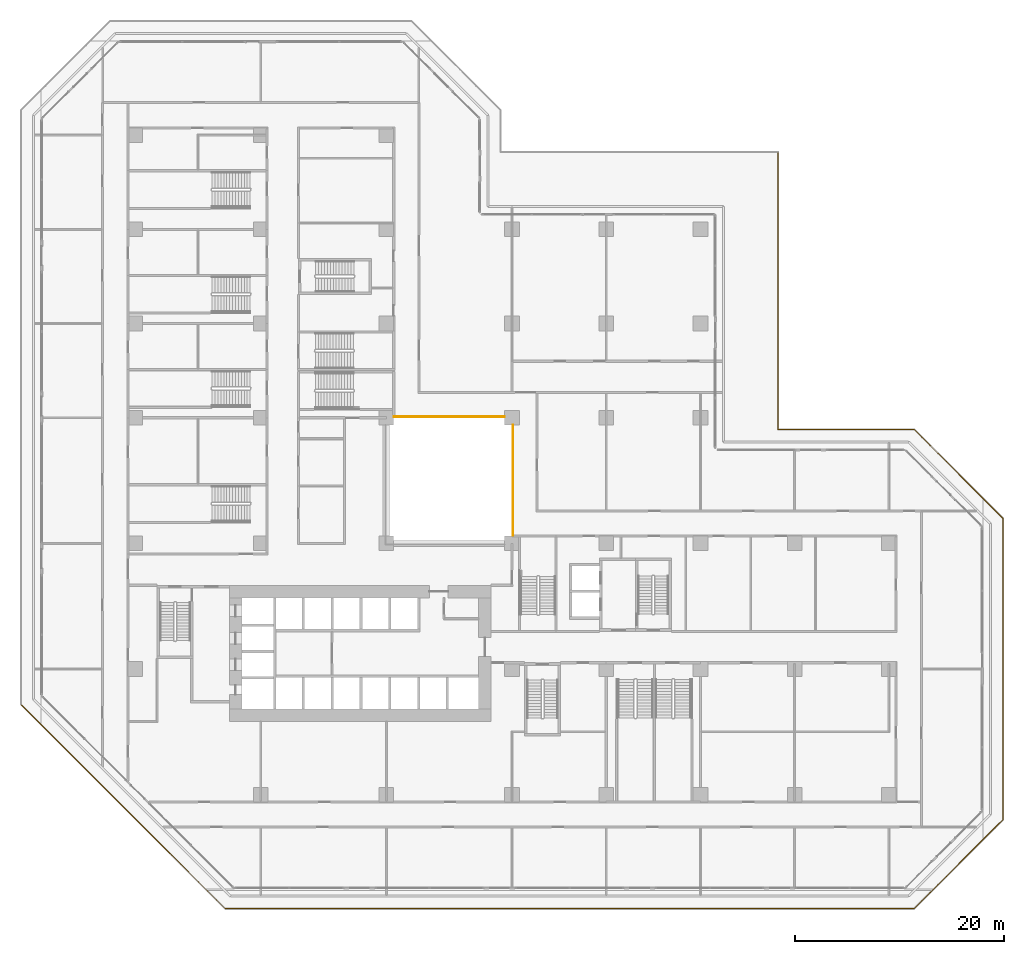
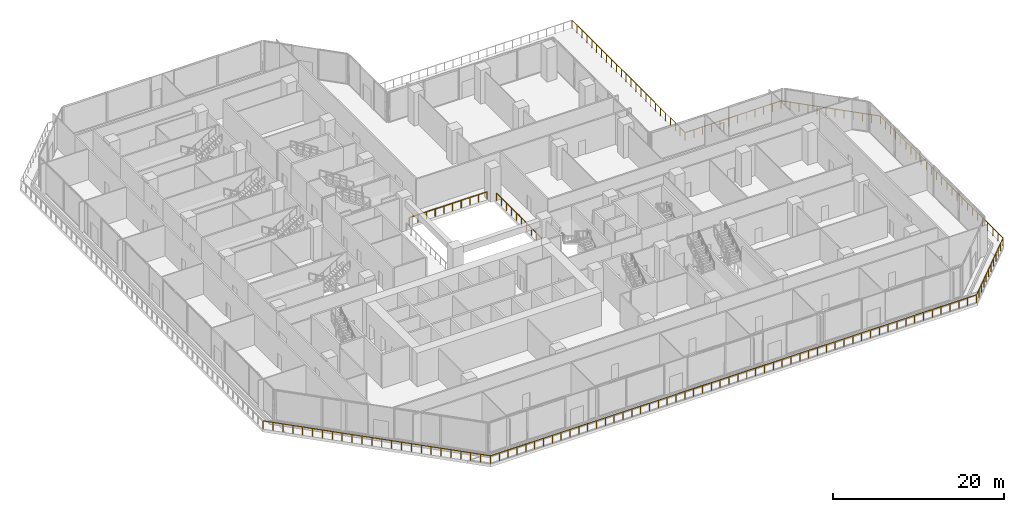
# One storey, part 25 of 26: 3 railings.
"""IFC4 building model written with IfcOpenShell, lengths in metres."""

from ifc_helpers import new_model, si_unit, direction, frame, origin, origin_2d, place, context, subcontext, project, spatial, rectangle, extrude, material, type_object, element, save


model = new_model("IFC4")

# Units and contexts
model_context = context("Model", 3, precision=1e-05, world=origin(), true_north=direction((0.0, 1.0)))
body_context = subcontext(model_context, "Body", "Model", "MODEL_VIEW")
ifc_project = project(units=[si_unit("LENGTHUNIT", "METRE"), si_unit("AREAUNIT", "SQUARE_METRE"), si_unit("VOLUMEUNIT", "CUBIC_METRE"), si_unit("PLANEANGLEUNIT", "RADIAN"), si_unit("MASSUNIT", "GRAM", prefix="KILO")], contexts=[model_context])

# Site, building, storey
site_placement = place(None, origin())
site = spatial("IfcSite", under=ifc_project, at=site_placement, CompositionType="ELEMENT")
building_placement = place(site_placement, origin())
building = spatial("IfcBuilding", under=site, at=building_placement, Name="Chenar Terraces", CompositionType="ELEMENT")
storey_placement = place(building_placement, frame((0.0, 0.0, 16.800048828125)))
storey = spatial("IfcBuildingStorey", under=building, at=storey_placement, Name="L03", CompositionType="ELEMENT", Elevation=16.800048828125)

# Railings
ifc_material_1 = material(Name="Powder-coated steel", Category="steel")
railing_type_1 = type_object("IfcRailingType", Name="Guard 1100 steel rail with glass infill", PredefinedType="GUARDRAIL", material=ifc_material_1)
railing_1_placement = place(storey_placement, frame((24.75, 36.10009765625, 0.0)))
element("IfcRailing", 1, at=railing_1_placement, inside=storey, type_object=railing_type_1, Name="Guard L03-2", PredefinedType="GUARDRAIL", context=body_context, shape_type="SweptSolid", body=[
    extrude(rectangle(XDim=0.06005859375, YDim=0.06005859375, at=origin_2d()), frame((0.0, 0.0, 1.070068359375), z_axis=(1.0, 0.0, 0.0), x_axis=(0.0, 1.0, 0.0)), (0.0, 0.0, 1.0), 10.550048828125),
    extrude(rectangle(XDim=0.050048828125, YDim=0.050048828125, at=origin_2d()), origin(), (0.0, 0.0, 1.0), 1.0400390625),
    extrude(rectangle(XDim=0.050048828125, YDim=0.050048828125, at=origin_2d()), frame((1.172119140625, 0.0, 0.0)), (0.0, 0.0, 1.0), 1.0400390625),
    extrude(rectangle(XDim=0.050048828125, YDim=0.050048828125, at=origin_2d()), frame((2.344482421875, 0.0, 0.0)), (0.0, 0.0, 1.0), 1.0400390625),
    extrude(rectangle(XDim=0.050048828125, YDim=0.050048828125, at=origin_2d()), frame((3.5166015625, 0.0, 0.0)), (0.0, 0.0, 1.0), 1.0400390625),
    extrude(rectangle(XDim=0.050048828125, YDim=0.050048828125, at=origin_2d()), frame((4.68896484375, 0.0, 0.0)), (0.0, 0.0, 1.0), 1.0400390625),
    extrude(rectangle(XDim=0.050048828125, YDim=0.050048828125, at=origin_2d()), frame((5.861083984375, 0.0, 0.0)), (0.0, 0.0, 1.0), 1.0400390625),
    extrude(rectangle(XDim=0.050048828125, YDim=0.050048828125, at=origin_2d()), frame((7.033447265625, 0.0, 0.0)), (0.0, 0.0, 1.0), 1.0400390625),
    extrude(rectangle(XDim=0.050048828125, YDim=0.050048828125, at=origin_2d()), frame((8.20556640625, 0.0, 0.0)), (0.0, 0.0, 1.0), 1.0400390625),
    extrude(rectangle(XDim=0.050048828125, YDim=0.050048828125, at=origin_2d()), frame((9.3779296875, 0.0, 0.0)), (0.0, 0.0, 1.0), 1.0400390625),
    extrude(rectangle(XDim=0.050048828125, YDim=0.050048828125, at=origin_2d()), frame((10.550048828125, 0.0, 0.0)), (0.0, 0.0, 1.0), 1.0400390625),
])
railing_2_placement = place(storey_placement, frame((36.10009765625, 24.75, 0.0)))
element("IfcRailing", 2, at=railing_2_placement, inside=storey, type_object=railing_type_1, Name="Guard L03-3", PredefinedType="GUARDRAIL", context=body_context, shape_type="SweptSolid", body=[
    extrude(rectangle(XDim=0.06005859375, YDim=0.06005859375, at=origin_2d()), frame((0.0, 0.0, 1.070068359375), z_axis=(0.0, 1.0, 0.0), x_axis=(-1.0, 0.0, 0.0)), (0.0, 0.0, 1.0), 10.550048828125),
    extrude(rectangle(XDim=0.050048828125, YDim=0.050048828125, at=origin_2d()), origin(), (0.0, 0.0, 1.0), 1.0400390625),
    extrude(rectangle(XDim=0.050048828125, YDim=0.050048828125, at=origin_2d()), frame((0.0, 1.172119140625, 0.0)), (0.0, 0.0, 1.0), 1.0400390625),
    extrude(rectangle(XDim=0.050048828125, YDim=0.050048828125, at=origin_2d()), frame((0.0, 2.344482421875, 0.0)), (0.0, 0.0, 1.0), 1.0400390625),
    extrude(rectangle(XDim=0.050048828125, YDim=0.050048828125, at=origin_2d()), frame((0.0, 3.5166015625, 0.0)), (0.0, 0.0, 1.0), 1.0400390625),
    extrude(rectangle(XDim=0.050048828125, YDim=0.050048828125, at=origin_2d()), frame((0.0, 4.68896484375, 0.0)), (0.0, 0.0, 1.0), 1.0400390625),
    extrude(rectangle(XDim=0.050048828125, YDim=0.050048828125, at=origin_2d()), frame((0.0, 5.861083984375, 0.0)), (0.0, 0.0, 1.0), 1.0400390625),
    extrude(rectangle(XDim=0.050048828125, YDim=0.050048828125, at=origin_2d()), frame((0.0, 7.033447265625, 0.0)), (0.0, 0.0, 1.0), 1.0400390625),
    extrude(rectangle(XDim=0.050048828125, YDim=0.050048828125, at=origin_2d()), frame((0.0, 8.20556640625, 0.0)), (0.0, 0.0, 1.0), 1.0400390625),
    extrude(rectangle(XDim=0.050048828125, YDim=0.050048828125, at=origin_2d()), frame((0.0, 9.3779296875, 0.0)), (0.0, 0.0, 1.0), 1.0400390625),
    extrude(rectangle(XDim=0.050048828125, YDim=0.050048828125, at=origin_2d()), frame((0.0, 10.550048828125, 0.0)), (0.0, 0.0, 1.0), 1.0400390625),
])
ifc_material_2 = material(Name="Stainless steel and glass", Category="steel")
railing_type_2 = type_object("IfcRailingType", Name="Terrace guard 1150", PredefinedType="GUARDRAIL", material=ifc_material_2)
railing_3_placement = place(storey_placement, frame((61.39990234375, 61.39990234375, 0.0)))
element("IfcRailing", 3, at=railing_3_placement, inside=storey, type_object=railing_type_2, Name="Terrace guard", PredefinedType="GUARDRAIL", context=body_context, shape_type="SweptSolid", body=[
    extrude(rectangle(XDim=0.048095703125, YDim=0.048095703125, at=origin_2d()), frame((0.0, 0.0, 1.1259765625), z_axis=(0.0, -1.0, 0.0), x_axis=(1.0, 0.0, 0.0)), (0.0, 0.0, 1.0), 26.5),
    extrude(rectangle(XDim=0.048095703125, YDim=0.048095703125, at=origin_2d()), frame((0.0, -26.5, 1.1259765625), z_axis=(1.0, 0.0, 0.0), x_axis=(0.0, 1.0, 0.0)), (0.0, 0.0, 1.0), 12.99365234375),
    extrude(rectangle(XDim=0.048095703125, YDim=0.048095703125, at=origin_2d()), frame((12.99365234375, -26.5, 1.1259765625), z_axis=(0.707106781187, -0.707106781187, 0.0), x_axis=(0.707106781187, 0.707106781187, 0.0)), (0.0, 0.0, 1.0), 12.02978515625),
    extrude(rectangle(XDim=0.048095703125, YDim=0.048095703125, at=origin_2d()), frame((21.5, -35.00634765625, 1.1259765625), z_axis=(0.0, -1.0, 0.0), x_axis=(1.0, 0.0, 0.0)), (0.0, 0.0, 1.0), 28.787109375),
    extrude(rectangle(XDim=0.048095703125, YDim=0.048095703125, at=origin_2d()), frame((21.5, -63.79345703125, 1.1259765625), z_axis=(-0.707106781187, -0.707106781187, 0.0), x_axis=(0.707106781187, -0.707106781187, 0.0)), (0.0, 0.0, 1.0), 12.02978515625),
    extrude(rectangle(XDim=0.048095703125, YDim=0.048095703125, at=origin_2d()), frame((12.99365234375, -72.2998046875, 1.1259765625), z_axis=(-1.0, 0.0, 0.0), x_axis=(0.0, -1.0, 0.0)), (0.0, 0.0, 1.0), 65.787109375),
    extrude(rectangle(XDim=0.048095703125, YDim=0.048095703125, at=origin_2d()), frame((-52.79345703125, -72.2998046875, 1.1259765625), z_axis=(-0.707106781187, 0.707106781187, 0.0), x_axis=(-0.707106781187, -0.707106781187, 0.0)), (0.0, 0.0, 1.0), 27.586181640625),
    extrude(rectangle(XDim=0.0419921875, YDim=0.0419921875, at=origin_2d()), origin(), (0.0, 0.0, 1.0), 1.101806640625),
    extrude(rectangle(XDim=0.0419921875, YDim=0.0419921875, at=origin_2d()), frame((0.0, -1.152099609375, 0.0)), (0.0, 0.0, 1.0), 1.101806640625),
    extrude(rectangle(XDim=0.0419921875, YDim=0.0419921875, at=origin_2d()), frame((0.0, -2.304443359375, 0.0)), (0.0, 0.0, 1.0), 1.101806640625),
    extrude(rectangle(XDim=0.0419921875, YDim=0.0419921875, at=origin_2d()), frame((0.0, -3.45654296875, 0.0)), (0.0, 0.0, 1.0), 1.101806640625),
    extrude(rectangle(XDim=0.0419921875, YDim=0.0419921875, at=origin_2d()), frame((0.0, -4.608642578125, 0.0)), (0.0, 0.0, 1.0), 1.101806640625),
    extrude(rectangle(XDim=0.0419921875, YDim=0.0419921875, at=origin_2d()), frame((0.0, -5.760986328125, 0.0)), (0.0, 0.0, 1.0), 1.101806640625),
    extrude(rectangle(XDim=0.0419921875, YDim=0.0419921875, at=origin_2d()), frame((0.0, -6.9130859375, 0.0)), (0.0, 0.0, 1.0), 1.101806640625),
    extrude(rectangle(XDim=0.0419921875, YDim=0.0419921875, at=origin_2d()), frame((0.0, -8.065185546875, 0.0)), (0.0, 0.0, 1.0), 1.101806640625),
    extrude(rectangle(XDim=0.0419921875, YDim=0.0419921875, at=origin_2d()), frame((0.0, -9.21728515625, 0.0)), (0.0, 0.0, 1.0), 1.101806640625),
    extrude(rectangle(XDim=0.0419921875, YDim=0.0419921875, at=origin_2d()), frame((0.0, -10.36962890625, 0.0)), (0.0, 0.0, 1.0), 1.101806640625),
    extrude(rectangle(XDim=0.0419921875, YDim=0.0419921875, at=origin_2d()), frame((0.0, -11.521728515625, 0.0)), (0.0, 0.0, 1.0), 1.101806640625),
    extrude(rectangle(XDim=0.0419921875, YDim=0.0419921875, at=origin_2d()), frame((0.0, -12.673828125, 0.0)), (0.0, 0.0, 1.0), 1.101806640625),
    extrude(rectangle(XDim=0.0419921875, YDim=0.0419921875, at=origin_2d()), frame((0.0, -13.826171875, 0.0)), (0.0, 0.0, 1.0), 1.101806640625),
    extrude(rectangle(XDim=0.0419921875, YDim=0.0419921875, at=origin_2d()), frame((0.0, -14.978271484375, 0.0)), (0.0, 0.0, 1.0), 1.101806640625),
    extrude(rectangle(XDim=0.0419921875, YDim=0.0419921875, at=origin_2d()), frame((0.0, -16.13037109375, 0.0)), (0.0, 0.0, 1.0), 1.101806640625),
    extrude(rectangle(XDim=0.0419921875, YDim=0.0419921875, at=origin_2d()), frame((0.0, -17.28271484375, 0.0)), (0.0, 0.0, 1.0), 1.101806640625),
    extrude(rectangle(XDim=0.0419921875, YDim=0.0419921875, at=origin_2d()), frame((0.0, -18.434814453125, 0.0)), (0.0, 0.0, 1.0), 1.101806640625),
    extrude(rectangle(XDim=0.0419921875, YDim=0.0419921875, at=origin_2d()), frame((0.0, -19.5869140625, 0.0)), (0.0, 0.0, 1.0), 1.101806640625),
    extrude(rectangle(XDim=0.0419921875, YDim=0.0419921875, at=origin_2d()), frame((0.0, -20.739013671875, 0.0)), (0.0, 0.0, 1.0), 1.101806640625),
    extrude(rectangle(XDim=0.0419921875, YDim=0.0419921875, at=origin_2d()), frame((0.0, -21.891357421875, 0.0)), (0.0, 0.0, 1.0), 1.101806640625),
    extrude(rectangle(XDim=0.0419921875, YDim=0.0419921875, at=origin_2d()), frame((0.0, -23.04345703125, 0.0)), (0.0, 0.0, 1.0), 1.101806640625),
    extrude(rectangle(XDim=0.0419921875, YDim=0.0419921875, at=origin_2d()), frame((0.0, -24.195556640625, 0.0)), (0.0, 0.0, 1.0), 1.101806640625),
    extrude(rectangle(XDim=0.0419921875, YDim=0.0419921875, at=origin_2d()), frame((0.0, -25.347900390625, 0.0)), (0.0, 0.0, 1.0), 1.101806640625),
    extrude(rectangle(XDim=0.0419921875, YDim=0.0419921875, at=origin_2d()), frame((0.0, -26.5, 0.0)), (0.0, 0.0, 1.0), 1.101806640625),
    extrude(rectangle(XDim=0.0419921875, YDim=0.0419921875, at=origin_2d()), frame((1.18115234375, -26.5, 0.0)), (0.0, 0.0, 1.0), 1.101806640625),
    extrude(rectangle(XDim=0.0419921875, YDim=0.0419921875, at=origin_2d()), frame((2.362548828125, -26.5, 0.0)), (0.0, 0.0, 1.0), 1.101806640625),
    extrude(rectangle(XDim=0.0419921875, YDim=0.0419921875, at=origin_2d()), frame((3.543701171875, -26.5, 0.0)), (0.0, 0.0, 1.0), 1.101806640625),
    extrude(rectangle(XDim=0.0419921875, YDim=0.0419921875, at=origin_2d()), frame((4.724853515625, -26.5, 0.0)), (0.0, 0.0, 1.0), 1.101806640625),
    extrude(rectangle(XDim=0.0419921875, YDim=0.0419921875, at=origin_2d()), frame((5.90625, -26.5, 0.0)), (0.0, 0.0, 1.0), 1.101806640625),
    extrude(rectangle(XDim=0.0419921875, YDim=0.0419921875, at=origin_2d()), frame((7.08740234375, -26.5, 0.0)), (0.0, 0.0, 1.0), 1.101806640625),
    extrude(rectangle(XDim=0.0419921875, YDim=0.0419921875, at=origin_2d()), frame((8.268798828125, -26.5, 0.0)), (0.0, 0.0, 1.0), 1.101806640625),
    extrude(rectangle(XDim=0.0419921875, YDim=0.0419921875, at=origin_2d()), frame((9.449951171875, -26.5, 0.0)), (0.0, 0.0, 1.0), 1.101806640625),
    extrude(rectangle(XDim=0.0419921875, YDim=0.0419921875, at=origin_2d()), frame((10.631103515625, -26.5, 0.0)), (0.0, 0.0, 1.0), 1.101806640625),
    extrude(rectangle(XDim=0.0419921875, YDim=0.0419921875, at=origin_2d()), frame((11.8125, -26.5, 0.0)), (0.0, 0.0, 1.0), 1.101806640625),
    extrude(rectangle(XDim=0.0419921875, YDim=0.0419921875, at=origin_2d()), frame((12.99365234375, -26.5, 0.0)), (0.0, 0.0, 1.0), 1.101806640625),
    extrude(rectangle(XDim=0.0419921875, YDim=0.0419921875, at=origin_2d()), frame((13.766845703125, -27.273193359375, 0.0)), (0.0, 0.0, 1.0), 1.101806640625),
    extrude(rectangle(XDim=0.0419921875, YDim=0.0419921875, at=origin_2d()), frame((14.540283203125, -28.046630859375, 0.0)), (0.0, 0.0, 1.0), 1.101806640625),
    extrude(rectangle(XDim=0.0419921875, YDim=0.0419921875, at=origin_2d()), frame((15.3134765625, -28.81982421875, 0.0)), (0.0, 0.0, 1.0), 1.101806640625),
    extrude(rectangle(XDim=0.0419921875, YDim=0.0419921875, at=origin_2d()), frame((16.0869140625, -29.59326171875, 0.0)), (0.0, 0.0, 1.0), 1.101806640625),
    extrude(rectangle(XDim=0.0419921875, YDim=0.0419921875, at=origin_2d()), frame((16.860107421875, -30.366455078125, 0.0)), (0.0, 0.0, 1.0), 1.101806640625),
    extrude(rectangle(XDim=0.0419921875, YDim=0.0419921875, at=origin_2d()), frame((17.633544921875, -31.139892578125, 0.0)), (0.0, 0.0, 1.0), 1.101806640625),
    extrude(rectangle(XDim=0.0419921875, YDim=0.0419921875, at=origin_2d()), frame((18.40673828125, -31.9130859375, 0.0)), (0.0, 0.0, 1.0), 1.101806640625),
    extrude(rectangle(XDim=0.0419921875, YDim=0.0419921875, at=origin_2d()), frame((19.18017578125, -32.6865234375, 0.0)), (0.0, 0.0, 1.0), 1.101806640625),
    extrude(rectangle(XDim=0.0419921875, YDim=0.0419921875, at=origin_2d()), frame((19.953369140625, -33.459716796875, 0.0)), (0.0, 0.0, 1.0), 1.101806640625),
    extrude(rectangle(XDim=0.0419921875, YDim=0.0419921875, at=origin_2d()), frame((20.726806640625, -34.233154296875, 0.0)), (0.0, 0.0, 1.0), 1.101806640625),
    extrude(rectangle(XDim=0.0419921875, YDim=0.0419921875, at=origin_2d()), frame((21.5, -35.00634765625, 0.0)), (0.0, 0.0, 1.0), 1.101806640625),
    extrude(rectangle(XDim=0.0419921875, YDim=0.0419921875, at=origin_2d()), frame((21.5, -36.205810546875, 0.0)), (0.0, 0.0, 1.0), 1.101806640625),
    extrude(rectangle(XDim=0.0419921875, YDim=0.0419921875, at=origin_2d()), frame((21.5, -37.4052734375, 0.0)), (0.0, 0.0, 1.0), 1.101806640625),
    extrude(rectangle(XDim=0.0419921875, YDim=0.0419921875, at=origin_2d()), frame((21.5, -38.604736328125, 0.0)), (0.0, 0.0, 1.0), 1.101806640625),
    extrude(rectangle(XDim=0.0419921875, YDim=0.0419921875, at=origin_2d()), frame((21.5, -39.80419921875, 0.0)), (0.0, 0.0, 1.0), 1.101806640625),
    extrude(rectangle(XDim=0.0419921875, YDim=0.0419921875, at=origin_2d()), frame((21.5, -41.003662109375, 0.0)), (0.0, 0.0, 1.0), 1.101806640625),
    extrude(rectangle(XDim=0.0419921875, YDim=0.0419921875, at=origin_2d()), frame((21.5, -42.203125, 0.0)), (0.0, 0.0, 1.0), 1.101806640625),
    extrude(rectangle(XDim=0.0419921875, YDim=0.0419921875, at=origin_2d()), frame((21.5, -43.402587890625, 0.0)), (0.0, 0.0, 1.0), 1.101806640625),
    extrude(rectangle(XDim=0.0419921875, YDim=0.0419921875, at=origin_2d()), frame((21.5, -44.60205078125, 0.0)), (0.0, 0.0, 1.0), 1.101806640625),
    extrude(rectangle(XDim=0.0419921875, YDim=0.0419921875, at=origin_2d()), frame((21.5, -45.801513671875, 0.0)), (0.0, 0.0, 1.0), 1.101806640625),
    extrude(rectangle(XDim=0.0419921875, YDim=0.0419921875, at=origin_2d()), frame((21.5, -47.0009765625, 0.0)), (0.0, 0.0, 1.0), 1.101806640625),
    extrude(rectangle(XDim=0.0419921875, YDim=0.0419921875, at=origin_2d()), frame((21.5, -48.200439453125, 0.0)), (0.0, 0.0, 1.0), 1.101806640625),
    extrude(rectangle(XDim=0.0419921875, YDim=0.0419921875, at=origin_2d()), frame((21.5, -49.39990234375, 0.0)), (0.0, 0.0, 1.0), 1.101806640625),
    extrude(rectangle(XDim=0.0419921875, YDim=0.0419921875, at=origin_2d()), frame((21.5, -50.599365234375, 0.0)), (0.0, 0.0, 1.0), 1.101806640625),
    extrude(rectangle(XDim=0.0419921875, YDim=0.0419921875, at=origin_2d()), frame((21.5, -51.798828125, 0.0)), (0.0, 0.0, 1.0), 1.101806640625),
    extrude(rectangle(XDim=0.0419921875, YDim=0.0419921875, at=origin_2d()), frame((21.5, -52.998291015625, 0.0)), (0.0, 0.0, 1.0), 1.101806640625),
    extrude(rectangle(XDim=0.0419921875, YDim=0.0419921875, at=origin_2d()), frame((21.5, -54.19775390625, 0.0)), (0.0, 0.0, 1.0), 1.101806640625),
    extrude(rectangle(XDim=0.0419921875, YDim=0.0419921875, at=origin_2d()), frame((21.5, -55.397216796875, 0.0)), (0.0, 0.0, 1.0), 1.101806640625),
    extrude(rectangle(XDim=0.0419921875, YDim=0.0419921875, at=origin_2d()), frame((21.5, -56.5966796875, 0.0)), (0.0, 0.0, 1.0), 1.101806640625),
    extrude(rectangle(XDim=0.0419921875, YDim=0.0419921875, at=origin_2d()), frame((21.5, -57.796142578125, 0.0)), (0.0, 0.0, 1.0), 1.101806640625),
    extrude(rectangle(XDim=0.0419921875, YDim=0.0419921875, at=origin_2d()), frame((21.5, -58.99560546875, 0.0)), (0.0, 0.0, 1.0), 1.101806640625),
    extrude(rectangle(XDim=0.0419921875, YDim=0.0419921875, at=origin_2d()), frame((21.5, -60.195068359375, 0.0)), (0.0, 0.0, 1.0), 1.101806640625),
    extrude(rectangle(XDim=0.0419921875, YDim=0.0419921875, at=origin_2d()), frame((21.5, -61.39453125, 0.0)), (0.0, 0.0, 1.0), 1.101806640625),
    extrude(rectangle(XDim=0.0419921875, YDim=0.0419921875, at=origin_2d()), frame((21.5, -62.593994140625, 0.0)), (0.0, 0.0, 1.0), 1.101806640625),
    extrude(rectangle(XDim=0.0419921875, YDim=0.0419921875, at=origin_2d()), frame((21.5, -63.79345703125, 0.0)), (0.0, 0.0, 1.0), 1.101806640625),
    extrude(rectangle(XDim=0.0419921875, YDim=0.0419921875, at=origin_2d()), frame((20.726806640625, -64.566650390625, 0.0)), (0.0, 0.0, 1.0), 1.101806640625),
    extrude(rectangle(XDim=0.0419921875, YDim=0.0419921875, at=origin_2d()), frame((19.953369140625, -65.340087890625, 0.0)), (0.0, 0.0, 1.0), 1.101806640625),
    extrude(rectangle(XDim=0.0419921875, YDim=0.0419921875, at=origin_2d()), frame((19.18017578125, -66.11328125, 0.0)), (0.0, 0.0, 1.0), 1.101806640625),
    extrude(rectangle(XDim=0.0419921875, YDim=0.0419921875, at=origin_2d()), frame((18.40673828125, -66.88671875, 0.0)), (0.0, 0.0, 1.0), 1.101806640625),
    extrude(rectangle(XDim=0.0419921875, YDim=0.0419921875, at=origin_2d()), frame((17.633544921875, -67.659912109375, 0.0)), (0.0, 0.0, 1.0), 1.101806640625),
    extrude(rectangle(XDim=0.0419921875, YDim=0.0419921875, at=origin_2d()), frame((16.860107421875, -68.433349609375, 0.0)), (0.0, 0.0, 1.0), 1.101806640625),
    extrude(rectangle(XDim=0.0419921875, YDim=0.0419921875, at=origin_2d()), frame((16.0869140625, -69.20654296875, 0.0)), (0.0, 0.0, 1.0), 1.101806640625),
    extrude(rectangle(XDim=0.0419921875, YDim=0.0419921875, at=origin_2d()), frame((15.3134765625, -69.97998046875, 0.0)), (0.0, 0.0, 1.0), 1.101806640625),
    extrude(rectangle(XDim=0.0419921875, YDim=0.0419921875, at=origin_2d()), frame((14.540283203125, -70.753173828125, 0.0)), (0.0, 0.0, 1.0), 1.101806640625),
    extrude(rectangle(XDim=0.0419921875, YDim=0.0419921875, at=origin_2d()), frame((13.766845703125, -71.526611328125, 0.0)), (0.0, 0.0, 1.0), 1.101806640625),
    extrude(rectangle(XDim=0.0419921875, YDim=0.0419921875, at=origin_2d()), frame((12.99365234375, -72.2998046875, 0.0)), (0.0, 0.0, 1.0), 1.101806640625),
    extrude(rectangle(XDim=0.0419921875, YDim=0.0419921875, at=origin_2d()), frame((11.797607421875, -72.2998046875, 0.0)), (0.0, 0.0, 1.0), 1.101806640625),
    extrude(rectangle(XDim=0.0419921875, YDim=0.0419921875, at=origin_2d()), frame((10.601318359375, -72.2998046875, 0.0)), (0.0, 0.0, 1.0), 1.101806640625),
    extrude(rectangle(XDim=0.0419921875, YDim=0.0419921875, at=origin_2d()), frame((9.4052734375, -72.2998046875, 0.0)), (0.0, 0.0, 1.0), 1.101806640625),
    extrude(rectangle(XDim=0.0419921875, YDim=0.0419921875, at=origin_2d()), frame((8.209228515625, -72.2998046875, 0.0)), (0.0, 0.0, 1.0), 1.101806640625),
    extrude(rectangle(XDim=0.0419921875, YDim=0.0419921875, at=origin_2d()), frame((7.012939453125, -72.2998046875, 0.0)), (0.0, 0.0, 1.0), 1.101806640625),
    extrude(rectangle(XDim=0.0419921875, YDim=0.0419921875, at=origin_2d()), frame((5.81689453125, -72.2998046875, 0.0)), (0.0, 0.0, 1.0), 1.101806640625),
    extrude(rectangle(XDim=0.0419921875, YDim=0.0419921875, at=origin_2d()), frame((4.620849609375, -72.2998046875, 0.0)), (0.0, 0.0, 1.0), 1.101806640625),
    extrude(rectangle(XDim=0.0419921875, YDim=0.0419921875, at=origin_2d()), frame((3.424560546875, -72.2998046875, 0.0)), (0.0, 0.0, 1.0), 1.101806640625),
    extrude(rectangle(XDim=0.0419921875, YDim=0.0419921875, at=origin_2d()), frame((2.228515625, -72.2998046875, 0.0)), (0.0, 0.0, 1.0), 1.101806640625),
    extrude(rectangle(XDim=0.0419921875, YDim=0.0419921875, at=origin_2d()), frame((1.032470703125, -72.2998046875, 0.0)), (0.0, 0.0, 1.0), 1.101806640625),
    extrude(rectangle(XDim=0.0419921875, YDim=0.0419921875, at=origin_2d()), frame((-0.163818359375, -72.2998046875, 0.0)), (0.0, 0.0, 1.0), 1.101806640625),
    extrude(rectangle(XDim=0.0419921875, YDim=0.0419921875, at=origin_2d()), frame((-1.35986328125, -72.2998046875, 0.0)), (0.0, 0.0, 1.0), 1.101806640625),
    extrude(rectangle(XDim=0.0419921875, YDim=0.0419921875, at=origin_2d()), frame((-2.555908203125, -72.2998046875, 0.0)), (0.0, 0.0, 1.0), 1.101806640625),
    extrude(rectangle(XDim=0.0419921875, YDim=0.0419921875, at=origin_2d()), frame((-3.752197265625, -72.2998046875, 0.0)), (0.0, 0.0, 1.0), 1.101806640625),
    extrude(rectangle(XDim=0.0419921875, YDim=0.0419921875, at=origin_2d()), frame((-4.9482421875, -72.2998046875, 0.0)), (0.0, 0.0, 1.0), 1.101806640625),
    extrude(rectangle(XDim=0.0419921875, YDim=0.0419921875, at=origin_2d()), frame((-6.14453125, -72.2998046875, 0.0)), (0.0, 0.0, 1.0), 1.101806640625),
    extrude(rectangle(XDim=0.0419921875, YDim=0.0419921875, at=origin_2d()), frame((-7.340576171875, -72.2998046875, 0.0)), (0.0, 0.0, 1.0), 1.101806640625),
    extrude(rectangle(XDim=0.0419921875, YDim=0.0419921875, at=origin_2d()), frame((-8.53662109375, -72.2998046875, 0.0)), (0.0, 0.0, 1.0), 1.101806640625),
    extrude(rectangle(XDim=0.0419921875, YDim=0.0419921875, at=origin_2d()), frame((-9.73291015625, -72.2998046875, 0.0)), (0.0, 0.0, 1.0), 1.101806640625),
    extrude(rectangle(XDim=0.0419921875, YDim=0.0419921875, at=origin_2d()), frame((-10.928955078125, -72.2998046875, 0.0)), (0.0, 0.0, 1.0), 1.101806640625),
    extrude(rectangle(XDim=0.0419921875, YDim=0.0419921875, at=origin_2d()), frame((-12.125, -72.2998046875, 0.0)), (0.0, 0.0, 1.0), 1.101806640625),
    extrude(rectangle(XDim=0.0419921875, YDim=0.0419921875, at=origin_2d()), frame((-13.3212890625, -72.2998046875, 0.0)), (0.0, 0.0, 1.0), 1.101806640625),
    extrude(rectangle(XDim=0.0419921875, YDim=0.0419921875, at=origin_2d()), frame((-14.517333984375, -72.2998046875, 0.0)), (0.0, 0.0, 1.0), 1.101806640625),
    extrude(rectangle(XDim=0.0419921875, YDim=0.0419921875, at=origin_2d()), frame((-15.71337890625, -72.2998046875, 0.0)), (0.0, 0.0, 1.0), 1.101806640625),
    extrude(rectangle(XDim=0.0419921875, YDim=0.0419921875, at=origin_2d()), frame((-16.90966796875, -72.2998046875, 0.0)), (0.0, 0.0, 1.0), 1.101806640625),
    extrude(rectangle(XDim=0.0419921875, YDim=0.0419921875, at=origin_2d()), frame((-18.105712890625, -72.2998046875, 0.0)), (0.0, 0.0, 1.0), 1.101806640625),
    extrude(rectangle(XDim=0.0419921875, YDim=0.0419921875, at=origin_2d()), frame((-19.3017578125, -72.2998046875, 0.0)), (0.0, 0.0, 1.0), 1.101806640625),
    extrude(rectangle(XDim=0.0419921875, YDim=0.0419921875, at=origin_2d()), frame((-20.498046875, -72.2998046875, 0.0)), (0.0, 0.0, 1.0), 1.101806640625),
    extrude(rectangle(XDim=0.0419921875, YDim=0.0419921875, at=origin_2d()), frame((-21.694091796875, -72.2998046875, 0.0)), (0.0, 0.0, 1.0), 1.101806640625),
    extrude(rectangle(XDim=0.0419921875, YDim=0.0419921875, at=origin_2d()), frame((-22.89013671875, -72.2998046875, 0.0)), (0.0, 0.0, 1.0), 1.101806640625),
    extrude(rectangle(XDim=0.0419921875, YDim=0.0419921875, at=origin_2d()), frame((-24.08642578125, -72.2998046875, 0.0)), (0.0, 0.0, 1.0), 1.101806640625),
    extrude(rectangle(XDim=0.0419921875, YDim=0.0419921875, at=origin_2d()), frame((-25.282470703125, -72.2998046875, 0.0)), (0.0, 0.0, 1.0), 1.101806640625),
    extrude(rectangle(XDim=0.0419921875, YDim=0.0419921875, at=origin_2d()), frame((-26.478515625, -72.2998046875, 0.0)), (0.0, 0.0, 1.0), 1.101806640625),
    extrude(rectangle(XDim=0.0419921875, YDim=0.0419921875, at=origin_2d()), frame((-27.6748046875, -72.2998046875, 0.0)), (0.0, 0.0, 1.0), 1.101806640625),
    extrude(rectangle(XDim=0.0419921875, YDim=0.0419921875, at=origin_2d()), frame((-28.870849609375, -72.2998046875, 0.0)), (0.0, 0.0, 1.0), 1.101806640625),
    extrude(rectangle(XDim=0.0419921875, YDim=0.0419921875, at=origin_2d()), frame((-30.06689453125, -72.2998046875, 0.0)), (0.0, 0.0, 1.0), 1.101806640625),
    extrude(rectangle(XDim=0.0419921875, YDim=0.0419921875, at=origin_2d()), frame((-31.26318359375, -72.2998046875, 0.0)), (0.0, 0.0, 1.0), 1.101806640625),
    extrude(rectangle(XDim=0.0419921875, YDim=0.0419921875, at=origin_2d()), frame((-32.459228515625, -72.2998046875, 0.0)), (0.0, 0.0, 1.0), 1.101806640625),
    extrude(rectangle(XDim=0.0419921875, YDim=0.0419921875, at=origin_2d()), frame((-33.6552734375, -72.2998046875, 0.0)), (0.0, 0.0, 1.0), 1.101806640625),
    extrude(rectangle(XDim=0.0419921875, YDim=0.0419921875, at=origin_2d()), frame((-34.8515625, -72.2998046875, 0.0)), (0.0, 0.0, 1.0), 1.101806640625),
    extrude(rectangle(XDim=0.0419921875, YDim=0.0419921875, at=origin_2d()), frame((-36.047607421875, -72.2998046875, 0.0)), (0.0, 0.0, 1.0), 1.101806640625),
    extrude(rectangle(XDim=0.0419921875, YDim=0.0419921875, at=origin_2d()), frame((-37.243896484375, -72.2998046875, 0.0)), (0.0, 0.0, 1.0), 1.101806640625),
    extrude(rectangle(XDim=0.0419921875, YDim=0.0419921875, at=origin_2d()), frame((-38.43994140625, -72.2998046875, 0.0)), (0.0, 0.0, 1.0), 1.101806640625),
    extrude(rectangle(XDim=0.0419921875, YDim=0.0419921875, at=origin_2d()), frame((-39.635986328125, -72.2998046875, 0.0)), (0.0, 0.0, 1.0), 1.101806640625),
    extrude(rectangle(XDim=0.0419921875, YDim=0.0419921875, at=origin_2d()), frame((-40.832275390625, -72.2998046875, 0.0)), (0.0, 0.0, 1.0), 1.101806640625),
    extrude(rectangle(XDim=0.0419921875, YDim=0.0419921875, at=origin_2d()), frame((-42.0283203125, -72.2998046875, 0.0)), (0.0, 0.0, 1.0), 1.101806640625),
    extrude(rectangle(XDim=0.0419921875, YDim=0.0419921875, at=origin_2d()), frame((-43.224365234375, -72.2998046875, 0.0)), (0.0, 0.0, 1.0), 1.101806640625),
    extrude(rectangle(XDim=0.0419921875, YDim=0.0419921875, at=origin_2d()), frame((-44.420654296875, -72.2998046875, 0.0)), (0.0, 0.0, 1.0), 1.101806640625),
    extrude(rectangle(XDim=0.0419921875, YDim=0.0419921875, at=origin_2d()), frame((-45.61669921875, -72.2998046875, 0.0)), (0.0, 0.0, 1.0), 1.101806640625),
    extrude(rectangle(XDim=0.0419921875, YDim=0.0419921875, at=origin_2d()), frame((-46.812744140625, -72.2998046875, 0.0)), (0.0, 0.0, 1.0), 1.101806640625),
    extrude(rectangle(XDim=0.0419921875, YDim=0.0419921875, at=origin_2d()), frame((-48.009033203125, -72.2998046875, 0.0)), (0.0, 0.0, 1.0), 1.101806640625),
    extrude(rectangle(XDim=0.0419921875, YDim=0.0419921875, at=origin_2d()), frame((-49.205078125, -72.2998046875, 0.0)), (0.0, 0.0, 1.0), 1.101806640625),
    extrude(rectangle(XDim=0.0419921875, YDim=0.0419921875, at=origin_2d()), frame((-50.401123046875, -72.2998046875, 0.0)), (0.0, 0.0, 1.0), 1.101806640625),
    extrude(rectangle(XDim=0.0419921875, YDim=0.0419921875, at=origin_2d()), frame((-51.597412109375, -72.2998046875, 0.0)), (0.0, 0.0, 1.0), 1.101806640625),
    extrude(rectangle(XDim=0.0419921875, YDim=0.0419921875, at=origin_2d()), frame((-52.79345703125, -72.2998046875, 0.0)), (0.0, 0.0, 1.0), 1.101806640625),
    extrude(rectangle(XDim=0.0419921875, YDim=0.0419921875, at=origin_2d()), frame((-53.6416015625, -71.45166015625, 0.0)), (0.0, 0.0, 1.0), 1.101806640625),
    extrude(rectangle(XDim=0.0419921875, YDim=0.0419921875, at=origin_2d()), frame((-54.48974609375, -70.603515625, 0.0)), (0.0, 0.0, 1.0), 1.101806640625),
    extrude(rectangle(XDim=0.0419921875, YDim=0.0419921875, at=origin_2d()), frame((-55.337646484375, -69.755615234375, 0.0)), (0.0, 0.0, 1.0), 1.101806640625),
    extrude(rectangle(XDim=0.0419921875, YDim=0.0419921875, at=origin_2d()), frame((-56.185791015625, -68.907470703125, 0.0)), (0.0, 0.0, 1.0), 1.101806640625),
    extrude(rectangle(XDim=0.0419921875, YDim=0.0419921875, at=origin_2d()), frame((-57.033935546875, -68.059326171875, 0.0)), (0.0, 0.0, 1.0), 1.101806640625),
    extrude(rectangle(XDim=0.0419921875, YDim=0.0419921875, at=origin_2d()), frame((-57.882080078125, -67.211181640625, 0.0)), (0.0, 0.0, 1.0), 1.101806640625),
    extrude(rectangle(XDim=0.0419921875, YDim=0.0419921875, at=origin_2d()), frame((-58.730224609375, -66.363037109375, 0.0)), (0.0, 0.0, 1.0), 1.101806640625),
    extrude(rectangle(XDim=0.0419921875, YDim=0.0419921875, at=origin_2d()), frame((-59.578369140625, -65.514892578125, 0.0)), (0.0, 0.0, 1.0), 1.101806640625),
    extrude(rectangle(XDim=0.0419921875, YDim=0.0419921875, at=origin_2d()), frame((-60.42626953125, -64.6669921875, 0.0)), (0.0, 0.0, 1.0), 1.101806640625),
    extrude(rectangle(XDim=0.0419921875, YDim=0.0419921875, at=origin_2d()), frame((-61.2744140625, -63.81884765625, 0.0)), (0.0, 0.0, 1.0), 1.101806640625),
    extrude(rectangle(XDim=0.0419921875, YDim=0.0419921875, at=origin_2d()), frame((-62.12255859375, -62.970703125, 0.0)), (0.0, 0.0, 1.0), 1.101806640625),
    extrude(rectangle(XDim=0.0419921875, YDim=0.0419921875, at=origin_2d()), frame((-62.970703125, -62.12255859375, 0.0)), (0.0, 0.0, 1.0), 1.101806640625),
    extrude(rectangle(XDim=0.0419921875, YDim=0.0419921875, at=origin_2d()), frame((-63.81884765625, -61.2744140625, 0.0)), (0.0, 0.0, 1.0), 1.101806640625),
    extrude(rectangle(XDim=0.0419921875, YDim=0.0419921875, at=origin_2d()), frame((-64.6669921875, -60.42626953125, 0.0)), (0.0, 0.0, 1.0), 1.101806640625),
    extrude(rectangle(XDim=0.0419921875, YDim=0.0419921875, at=origin_2d()), frame((-65.514892578125, -59.578369140625, 0.0)), (0.0, 0.0, 1.0), 1.101806640625),
    extrude(rectangle(XDim=0.0419921875, YDim=0.0419921875, at=origin_2d()), frame((-66.363037109375, -58.730224609375, 0.0)), (0.0, 0.0, 1.0), 1.101806640625),
    extrude(rectangle(XDim=0.0419921875, YDim=0.0419921875, at=origin_2d()), frame((-67.211181640625, -57.882080078125, 0.0)), (0.0, 0.0, 1.0), 1.101806640625),
    extrude(rectangle(XDim=0.0419921875, YDim=0.0419921875, at=origin_2d()), frame((-68.059326171875, -57.033935546875, 0.0)), (0.0, 0.0, 1.0), 1.101806640625),
    extrude(rectangle(XDim=0.0419921875, YDim=0.0419921875, at=origin_2d()), frame((-68.907470703125, -56.185791015625, 0.0)), (0.0, 0.0, 1.0), 1.101806640625),
    extrude(rectangle(XDim=0.0419921875, YDim=0.0419921875, at=origin_2d()), frame((-69.755615234375, -55.337646484375, 0.0)), (0.0, 0.0, 1.0), 1.101806640625),
    extrude(rectangle(XDim=0.0419921875, YDim=0.0419921875, at=origin_2d()), frame((-70.603515625, -54.48974609375, 0.0)), (0.0, 0.0, 1.0), 1.101806640625),
    extrude(rectangle(XDim=0.0419921875, YDim=0.0419921875, at=origin_2d()), frame((-71.45166015625, -53.6416015625, 0.0)), (0.0, 0.0, 1.0), 1.101806640625),
    extrude(rectangle(XDim=0.0419921875, YDim=0.0419921875, at=origin_2d()), frame((-72.2998046875, -52.79345703125, 0.0)), (0.0, 0.0, 1.0), 1.101806640625),
])

save(model, "model.ifc")
